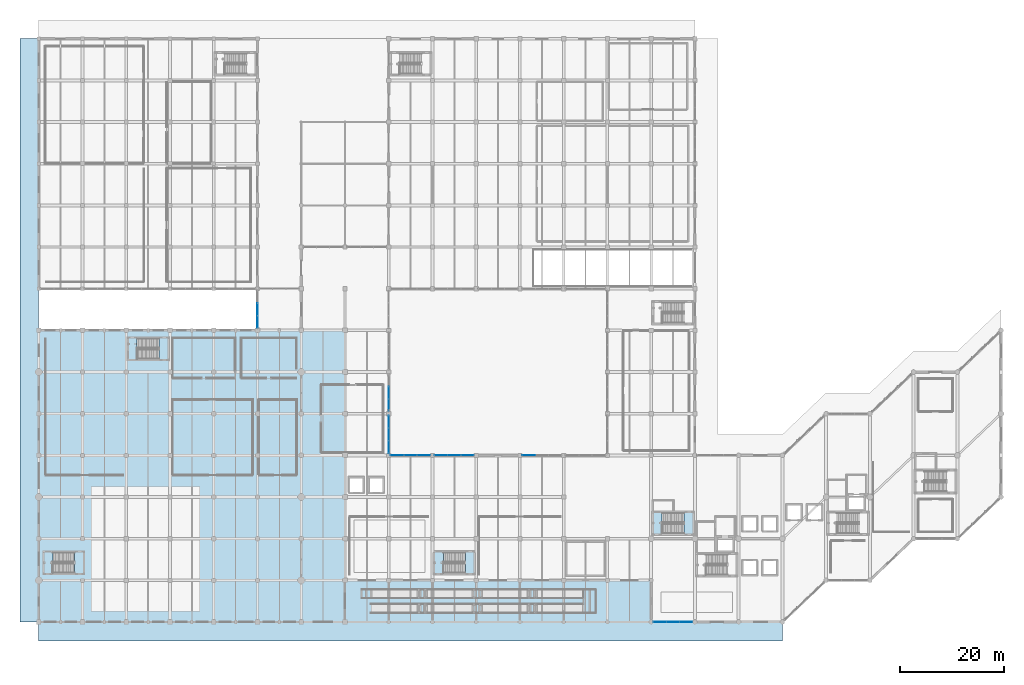
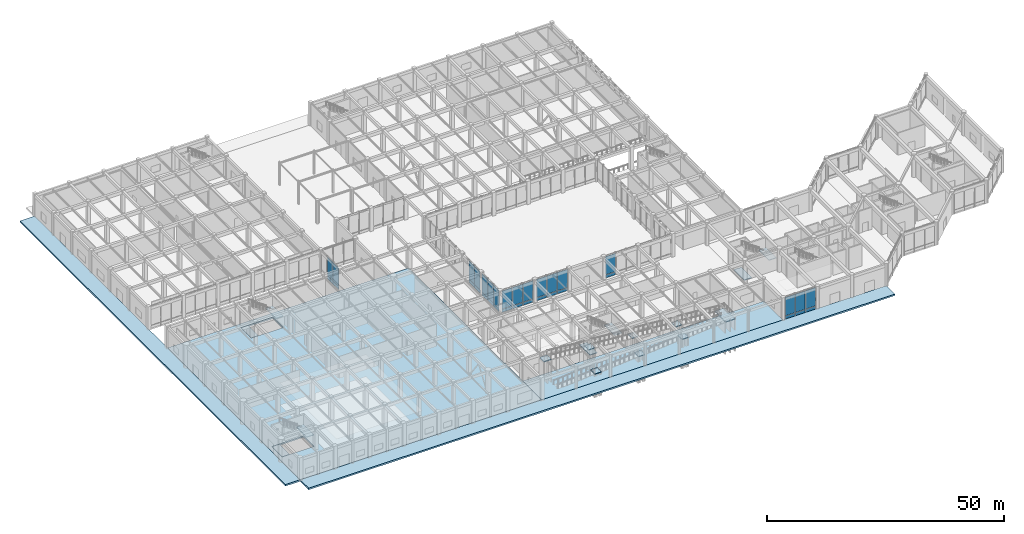
# One storey, part 43 of 76: 34 plates, 20 slabs, 12 elements without a shape of their own.
"""IFC4 building model written with IfcOpenShell, lengths in metres."""

from ifc_helpers import new_model, si_unit, direction, frame, origin, origin_2d, place, context, subcontext, project, spatial, polyline, rectangle, outline, extrude, material, layer, layer_set, type_object, element, aggregate, save


model = new_model("IFC4")

# Units and contexts
model_context = context("Model", 3, precision=1e-05, world=origin(), true_north=direction((0.0, 1.0)))
body_context = subcontext(model_context, "Body", "Model", "MODEL_VIEW")
ifc_project = project(units=[si_unit("LENGTHUNIT", "METRE"), si_unit("AREAUNIT", "SQUARE_METRE"), si_unit("VOLUMEUNIT", "CUBIC_METRE"), si_unit("PLANEANGLEUNIT", "RADIAN"), si_unit("MASSUNIT", "GRAM", prefix="KILO")], contexts=[model_context])

# Site, building, storey
site_placement = place(None, origin())
site = spatial("IfcSite", under=ifc_project, at=site_placement, CompositionType="ELEMENT")
building_placement = place(site_placement, origin())
building = spatial("IfcBuilding", under=site, at=building_placement, Name="Naruveol Harbour Congress Hotel", CompositionType="ELEMENT")
storey_placement = place(building_placement, origin())
storey = spatial("IfcBuildingStorey", under=building, at=storey_placement, Name="L00", CompositionType="ELEMENT", Elevation=0.0)

# Curtain wall, plates
ifc_material_1 = material(Name="Low-E Curtain Wall System", Category="glass")
ifc_layer_1 = layer(ifc_material_1, 0.179931640625)
ifc_layer_set_1 = layer_set([ifc_layer_1], Name="Low-E Curtain Wall System")
curtain_wall_type_1 = type_object("IfcCurtainWallType", Name="UNITISED CURTAIN WALL CW-SPLW-09 7175X5700", PredefinedType="USERDEFINED", material=ifc_layer_set_1)
curtain_wall_1_placement = place(storey_placement, origin())
curtain_wall_1 = element("IfcCurtainWall", 1, at=curtain_wall_1_placement, inside=storey, type_object=curtain_wall_type_1, Name="Unitised curtain wall CW-SPLW-09 L00", ObjectType="UNITISED GLAZING", PredefinedType="USERDEFINED")
ifc_material_2 = material(Name="Anodised Aluminium Spandrel", Category="aluminium")
ifc_layer_2 = layer(ifc_material_2, 0.054931640625)
ifc_layer_set_2 = layer_set([ifc_layer_2], Name="Anodised Aluminium Spandrel")
plate_type_1 = type_object("IfcPlateType", Name="INSULATED CERAMIC SPANDREL PANEL 55", PredefinedType="CURTAIN_PANEL", material=ifc_layer_set_2)
plate_1_placement = place(storey_placement, frame((41.989990234375, 57.645751953125, 0.0400390625), z_axis=(0.0, 0.0, 1.0), x_axis=(0.0, 1.0, 0.0)))
plate_1 = element("IfcPlate", 2, at=plate_1_placement, type_object=plate_type_1, Name="Curtain wall spandrel panel CW-L00-0010-PS0", PredefinedType="CURTAIN_PANEL", context=body_context, shape_type="SweptSolid", body=[
    extrude(rectangle(XDim=2.31201171875, YDim=0.054931640625, at=origin_2d()), origin(), (0.0, 0.0, 1.0), 0.77001953125),
])
plate_2_placement = place(storey_placement, frame((41.989990234375, 60.03759765625, 0.0400390625), z_axis=(0.0, 0.0, 1.0), x_axis=(0.0, 1.0, 0.0)))
plate_2 = element("IfcPlate", 3, at=plate_2_placement, type_object=plate_type_1, Name="Curtain wall spandrel panel CW-L00-0010-PS1", PredefinedType="CURTAIN_PANEL", context=body_context, shape_type="SweptSolid", body=[
    extrude(rectangle(XDim=2.31201171875, YDim=0.054931640625, at=origin_2d()), origin(), (0.0, 0.0, 1.0), 0.77001953125),
])

ifc_material_3 = material(Name="Low-E Curtain Wall System", Category="glass")
ifc_layer_3 = layer(ifc_material_3, 0.179931640625)
ifc_layer_set_3 = layer_set([ifc_layer_3], Name="Low-E Curtain Wall System")
curtain_wall_type_2 = type_object("IfcCurtainWallType", Name="UNITISED CURTAIN WALL CW-CTS-27 7600X5700", PredefinedType="USERDEFINED", material=ifc_layer_set_3)
curtain_wall_2_placement = place(storey_placement, origin())
curtain_wall_2 = element("IfcCurtainWall", 4, at=curtain_wall_2_placement, inside=storey, type_object=curtain_wall_type_2, Name="Unitised curtain wall CW-CTS-27 L00", ObjectType="UNITISED GLAZING", PredefinedType="USERDEFINED")
plate_3_placement = place(storey_placement, frame((68.86669921875, 32.010009765625, 0.0400390625), z_axis=(0.0, 0.0, 1.0), x_axis=(1.0, 0.0, 0.0)))
plate_3 = element("IfcPlate", 5, at=plate_3_placement, type_object=plate_type_1, Name="Curtain wall spandrel panel CW-L00-0055-PS0", PredefinedType="CURTAIN_PANEL", context=body_context, shape_type="SweptSolid", body=[
    extrude(rectangle(XDim=2.452880859375, YDim=0.054931640625, at=origin_2d()), origin(), (0.0, 0.0, 1.0), 0.77001953125),
])
plate_4_placement = place(storey_placement, frame((71.39990234375, 32.010009765625, 0.0400390625), z_axis=(0.0, 0.0, 1.0), x_axis=(1.0, 0.0, 0.0)))
plate_4 = element("IfcPlate", 6, at=plate_4_placement, type_object=plate_type_1, Name="Curtain wall spandrel panel CW-L00-0055-PS1", PredefinedType="CURTAIN_PANEL", context=body_context, shape_type="SweptSolid", body=[
    extrude(rectangle(XDim=2.452880859375, YDim=0.054931640625, at=origin_2d()), origin(), (0.0, 0.0, 1.0), 0.77001953125),
])
plate_5_placement = place(storey_placement, frame((73.933349609375, 32.010009765625, 0.0400390625), z_axis=(0.0, 0.0, 1.0), x_axis=(1.0, 0.0, 0.0)))
plate_5 = element("IfcPlate", 7, at=plate_5_placement, type_object=plate_type_1, Name="Curtain wall spandrel panel CW-L00-0055-PS2", PredefinedType="CURTAIN_PANEL", context=body_context, shape_type="SweptSolid", body=[
    extrude(rectangle(XDim=2.452880859375, YDim=0.054931640625, at=origin_2d()), origin(), (0.0, 0.0, 1.0), 0.77001953125),
])

curtain_wall_3_placement = place(storey_placement, origin())
curtain_wall_3 = element("IfcCurtainWall", 8, at=curtain_wall_3_placement, inside=storey, type_object=curtain_wall_type_2, Name="Unitised curtain wall CW-CTS-27 L00", ObjectType="UNITISED GLAZING", PredefinedType="USERDEFINED")
plate_6_placement = place(storey_placement, frame((77.2666015625, 32.010009765625, 0.0400390625), z_axis=(0.0, 0.0, 1.0), x_axis=(1.0, 0.0, 0.0)))
plate_6 = element("IfcPlate", 9, at=plate_6_placement, type_object=plate_type_1, Name="Curtain wall spandrel panel CW-L00-0057-PS0", PredefinedType="CURTAIN_PANEL", context=body_context, shape_type="SweptSolid", body=[
    extrude(rectangle(XDim=2.452880859375, YDim=0.054931640625, at=origin_2d()), origin(), (0.0, 0.0, 1.0), 0.77001953125),
])
plate_7_placement = place(storey_placement, frame((79.800048828125, 32.010009765625, 0.0400390625), z_axis=(0.0, 0.0, 1.0), x_axis=(1.0, 0.0, 0.0)))
plate_7 = element("IfcPlate", 10, at=plate_7_placement, type_object=plate_type_1, Name="Curtain wall spandrel panel CW-L00-0057-PS1", PredefinedType="CURTAIN_PANEL", context=body_context, shape_type="SweptSolid", body=[
    extrude(rectangle(XDim=2.452880859375, YDim=0.054931640625, at=origin_2d()), origin(), (0.0, 0.0, 1.0), 0.77001953125),
])
plate_8_placement = place(storey_placement, frame((82.333251953125, 32.010009765625, 0.0400390625), z_axis=(0.0, 0.0, 1.0), x_axis=(1.0, 0.0, 0.0)))
plate_8 = element("IfcPlate", 11, at=plate_8_placement, type_object=plate_type_1, Name="Curtain wall spandrel panel CW-L00-0057-PS2", PredefinedType="CURTAIN_PANEL", context=body_context, shape_type="SweptSolid", body=[
    extrude(rectangle(XDim=2.452880859375, YDim=0.054931640625, at=origin_2d()), origin(), (0.0, 0.0, 1.0), 0.77001953125),
])

# Curtain wall, plate
curtain_wall_4_placement = place(storey_placement, origin())
curtain_wall_4 = element("IfcCurtainWall", 12, at=curtain_wall_4_placement, inside=storey, type_object=curtain_wall_type_2, Name="Unitised curtain wall CW-CTS-27 L00", ObjectType="UNITISED GLAZING", PredefinedType="USERDEFINED")
plate_9_placement = place(storey_placement, frame((94.066650390625, 32.010009765625, 0.0400390625), z_axis=(0.0, 0.0, 1.0), x_axis=(1.0, 0.0, 0.0)))
plate_9 = element("IfcPlate", 13, at=plate_9_placement, type_object=plate_type_1, Name="Curtain wall spandrel panel CW-L00-0060-PS0", PredefinedType="CURTAIN_PANEL", context=body_context, shape_type="SweptSolid", body=[
    extrude(rectangle(XDim=2.452880859375, YDim=0.054931640625, at=origin_2d()), origin(), (0.0, 0.0, 1.0), 0.77001953125),
])

# Curtain wall, plates
ifc_material_4 = material(Name="Low-E Curtain Wall System", Category="glass")
ifc_layer_4 = layer(ifc_material_4, 0.179931640625)
ifc_layer_set_4 = layer_set([ifc_layer_4], Name="Low-E Curtain Wall System")
curtain_wall_type_3 = type_object("IfcCurtainWallType", Name="UNITISED CURTAIN WALL CW-CTW-28 7200X5700", PredefinedType="USERDEFINED", material=ifc_layer_set_4)
curtain_wall_5_placement = place(storey_placement, origin())
curtain_wall_5 = element("IfcCurtainWall", 14, at=curtain_wall_5_placement, inside=storey, type_object=curtain_wall_type_3, Name="Unitised curtain wall CW-CTW-28 L00", ObjectType="UNITISED GLAZING", PredefinedType="USERDEFINED")
plate_10_placement = place(storey_placement, frame((67.18994140625, 33.60009765625, 0.0400390625), z_axis=(0.0, 0.0, 1.0), x_axis=(0.0, 1.0, 0.0)))
plate_10 = element("IfcPlate", 15, at=plate_10_placement, type_object=plate_type_1, Name="Curtain wall spandrel panel CW-L00-0063-PS0", PredefinedType="CURTAIN_PANEL", context=body_context, shape_type="SweptSolid", body=[
    extrude(rectangle(XDim=2.320068359375, YDim=0.054931640625, at=origin_2d()), origin(), (0.0, 0.0, 1.0), 0.77001953125),
])
plate_11_placement = place(storey_placement, frame((67.18994140625, 36.0, 0.0400390625), z_axis=(0.0, 0.0, 1.0), x_axis=(0.0, 1.0, 0.0)))
plate_11 = element("IfcPlate", 16, at=plate_11_placement, type_object=plate_type_1, Name="Curtain wall spandrel panel CW-L00-0063-PS1", PredefinedType="CURTAIN_PANEL", context=body_context, shape_type="SweptSolid", body=[
    extrude(rectangle(XDim=2.320068359375, YDim=0.054931640625, at=origin_2d()), origin(), (0.0, 0.0, 1.0), 0.77001953125),
])
plate_12_placement = place(storey_placement, frame((67.18994140625, 38.39990234375, 0.0400390625), z_axis=(0.0, 0.0, 1.0), x_axis=(0.0, 1.0, 0.0)))
plate_12 = element("IfcPlate", 17, at=plate_12_placement, type_object=plate_type_1, Name="Curtain wall spandrel panel CW-L00-0063-PS2", PredefinedType="CURTAIN_PANEL", context=body_context, shape_type="SweptSolid", body=[
    extrude(rectangle(XDim=2.320068359375, YDim=0.054931640625, at=origin_2d()), origin(), (0.0, 0.0, 1.0), 0.77001953125),
])

curtain_wall_6_placement = place(storey_placement, origin())
curtain_wall_6 = element("IfcCurtainWall", 18, at=curtain_wall_6_placement, inside=storey, type_object=curtain_wall_type_3, Name="Unitised curtain wall CW-CTW-28 L00", ObjectType="UNITISED GLAZING", PredefinedType="USERDEFINED")
plate_13_placement = place(storey_placement, frame((67.18994140625, 41.60009765625, 0.0400390625), z_axis=(0.0, 0.0, 1.0), x_axis=(0.0, 1.0, 0.0)))
plate_13 = element("IfcPlate", 19, at=plate_13_placement, type_object=plate_type_1, Name="Curtain wall spandrel panel CW-L00-0065-PS0", PredefinedType="CURTAIN_PANEL", context=body_context, shape_type="SweptSolid", body=[
    extrude(rectangle(XDim=2.320068359375, YDim=0.054931640625, at=origin_2d()), origin(), (0.0, 0.0, 1.0), 0.77001953125),
])
plate_14_placement = place(storey_placement, frame((67.18994140625, 44.0, 0.0400390625), z_axis=(0.0, 0.0, 1.0), x_axis=(0.0, 1.0, 0.0)))
plate_14 = element("IfcPlate", 20, at=plate_14_placement, type_object=plate_type_1, Name="Curtain wall spandrel panel CW-L00-0065-PS1", PredefinedType="CURTAIN_PANEL", context=body_context, shape_type="SweptSolid", body=[
    extrude(rectangle(XDim=2.320068359375, YDim=0.054931640625, at=origin_2d()), origin(), (0.0, 0.0, 1.0), 0.77001953125),
])

ifc_material_5 = material(Name="Low-E Curtain Wall System", Category="glass")
ifc_layer_5 = layer(ifc_material_5, 0.179931640625)
ifc_layer_set_5 = layer_set([ifc_layer_5], Name="Low-E Curtain Wall System")
curtain_wall_type_4 = type_object("IfcCurtainWallType", Name="UNITISED CURTAIN WALL CW-V5S-46 7500X5720", PredefinedType="USERDEFINED", material=ifc_layer_set_5)
curtain_wall_7_placement = place(storey_placement, origin())
curtain_wall_7 = element("IfcCurtainWall", 21, at=curtain_wall_7_placement, inside=storey, type_object=curtain_wall_type_4, Name="Unitised curtain wall CW-V5S-46 L00", ObjectType="UNITISED GLAZING", PredefinedType="USERDEFINED")
plate_15_placement = place(storey_placement, frame((124.300048828125, -0.010009765625, 0.0400390625), z_axis=(0.0, 0.0, 1.0), x_axis=(-1.0, 0.0, 0.0)))
plate_15 = element("IfcPlate", 22, at=plate_15_placement, type_object=plate_type_1, Name="Curtain wall spandrel panel CW-L00-0126-PS0", PredefinedType="CURTAIN_PANEL", context=body_context, shape_type="SweptSolid", body=[
    extrude(rectangle(XDim=2.419921875, YDim=0.054931640625, at=origin_2d()), origin(), (0.0, 0.0, 1.0), 0.77001953125),
])
plate_16_placement = place(storey_placement, frame((121.800048828125, -0.010009765625, 0.0400390625), z_axis=(0.0, 0.0, 1.0), x_axis=(-1.0, 0.0, 0.0)))
plate_16 = element("IfcPlate", 23, at=plate_16_placement, type_object=plate_type_1, Name="Curtain wall spandrel panel CW-L00-0126-PS1", PredefinedType="CURTAIN_PANEL", context=body_context, shape_type="SweptSolid", body=[
    extrude(rectangle(XDim=2.419921875, YDim=0.054931640625, at=origin_2d()), origin(), (0.0, 0.0, 1.0), 0.77001953125),
])
plate_17_placement = place(storey_placement, frame((119.300048828125, -0.010009765625, 0.0400390625), z_axis=(0.0, 0.0, 1.0), x_axis=(-1.0, 0.0, 0.0)))
plate_17 = element("IfcPlate", 24, at=plate_17_placement, type_object=plate_type_1, Name="Curtain wall spandrel panel CW-L00-0126-PS2", PredefinedType="CURTAIN_PANEL", context=body_context, shape_type="SweptSolid", body=[
    extrude(rectangle(XDim=2.419921875, YDim=0.054931640625, at=origin_2d()), origin(), (0.0, 0.0, 1.0), 0.77001953125),
])

# Plate
ifc_material_6 = material(Name="Low-E Insulated Glass", Category="glass")
ifc_layer_6 = layer(ifc_material_6, 0.0419921875)
ifc_layer_set_6 = layer_set([ifc_layer_6], Name="Low-E Insulated Glass")
plate_type_2 = type_object("IfcPlateType", Name="LOW-E TRIPLE GLAZED CURTAIN PANEL 42", PredefinedType="CURTAIN_PANEL", material=ifc_layer_set_6)
plate_18_placement = place(storey_placement, frame((41.989990234375, 57.645751953125, 0.89013671875), z_axis=(0.0, 0.0, 1.0), x_axis=(0.0, 1.0, 0.0)))
plate_18 = element("IfcPlate", 25, at=plate_18_placement, type_object=plate_type_2, Name="Curtain wall vision panel CW-L00-0010-PG0", PredefinedType="CURTAIN_PANEL", context=body_context, shape_type="SweptSolid", body=[
    extrude(rectangle(XDim=2.31201171875, YDim=0.0419921875, at=origin_2d()), origin(), (0.0, 0.0, 1.0), 4.68994140625),
])

plate_19_placement = place(storey_placement, frame((41.989990234375, 60.03759765625, 0.89013671875), z_axis=(0.0, 0.0, 1.0), x_axis=(0.0, 1.0, 0.0)))
plate_19 = element("IfcPlate", 26, at=plate_19_placement, type_object=plate_type_2, Name="Curtain wall vision panel CW-L00-0010-PG1", PredefinedType="CURTAIN_PANEL", context=body_context, shape_type="SweptSolid", body=[
    extrude(rectangle(XDim=2.31201171875, YDim=0.0419921875, at=origin_2d()), origin(), (0.0, 0.0, 1.0), 4.68994140625),
])

aggregate(curtain_wall_1, [plate_1, plate_18, plate_2, plate_19])

plate_20_placement = place(storey_placement, frame((68.86669921875, 32.010009765625, 0.89013671875), z_axis=(0.0, 0.0, 1.0), x_axis=(1.0, 0.0, 0.0)))
plate_20 = element("IfcPlate", 27, at=plate_20_placement, type_object=plate_type_2, Name="Curtain wall vision panel CW-L00-0055-PG0", PredefinedType="CURTAIN_PANEL", context=body_context, shape_type="SweptSolid", body=[
    extrude(rectangle(XDim=2.452880859375, YDim=0.0419921875, at=origin_2d()), origin(), (0.0, 0.0, 1.0), 4.68994140625),
])

plate_21_placement = place(storey_placement, frame((71.39990234375, 32.010009765625, 0.89013671875), z_axis=(0.0, 0.0, 1.0), x_axis=(1.0, 0.0, 0.0)))
plate_21 = element("IfcPlate", 28, at=plate_21_placement, type_object=plate_type_2, Name="Curtain wall vision panel CW-L00-0055-PG1", PredefinedType="CURTAIN_PANEL", context=body_context, shape_type="SweptSolid", body=[
    extrude(rectangle(XDim=2.452880859375, YDim=0.0419921875, at=origin_2d()), origin(), (0.0, 0.0, 1.0), 4.68994140625),
])

plate_22_placement = place(storey_placement, frame((73.933349609375, 32.010009765625, 0.89013671875), z_axis=(0.0, 0.0, 1.0), x_axis=(1.0, 0.0, 0.0)))
plate_22 = element("IfcPlate", 29, at=plate_22_placement, type_object=plate_type_2, Name="Curtain wall vision panel CW-L00-0055-PG2", PredefinedType="CURTAIN_PANEL", context=body_context, shape_type="SweptSolid", body=[
    extrude(rectangle(XDim=2.452880859375, YDim=0.0419921875, at=origin_2d()), origin(), (0.0, 0.0, 1.0), 4.68994140625),
])

aggregate(curtain_wall_2, [plate_3, plate_20, plate_4, plate_21, plate_5, plate_22])

plate_23_placement = place(storey_placement, frame((77.2666015625, 32.010009765625, 0.89013671875), z_axis=(0.0, 0.0, 1.0), x_axis=(1.0, 0.0, 0.0)))
plate_23 = element("IfcPlate", 30, at=plate_23_placement, type_object=plate_type_2, Name="Curtain wall vision panel CW-L00-0057-PG0", PredefinedType="CURTAIN_PANEL", context=body_context, shape_type="SweptSolid", body=[
    extrude(rectangle(XDim=2.452880859375, YDim=0.0419921875, at=origin_2d()), origin(), (0.0, 0.0, 1.0), 4.68994140625),
])

plate_24_placement = place(storey_placement, frame((79.800048828125, 32.010009765625, 0.89013671875), z_axis=(0.0, 0.0, 1.0), x_axis=(1.0, 0.0, 0.0)))
plate_24 = element("IfcPlate", 31, at=plate_24_placement, type_object=plate_type_2, Name="Curtain wall vision panel CW-L00-0057-PG1", PredefinedType="CURTAIN_PANEL", context=body_context, shape_type="SweptSolid", body=[
    extrude(rectangle(XDim=2.452880859375, YDim=0.0419921875, at=origin_2d()), origin(), (0.0, 0.0, 1.0), 4.68994140625),
])

plate_25_placement = place(storey_placement, frame((82.333251953125, 32.010009765625, 0.89013671875), z_axis=(0.0, 0.0, 1.0), x_axis=(1.0, 0.0, 0.0)))
plate_25 = element("IfcPlate", 32, at=plate_25_placement, type_object=plate_type_2, Name="Curtain wall vision panel CW-L00-0057-PG2", PredefinedType="CURTAIN_PANEL", context=body_context, shape_type="SweptSolid", body=[
    extrude(rectangle(XDim=2.452880859375, YDim=0.0419921875, at=origin_2d()), origin(), (0.0, 0.0, 1.0), 4.68994140625),
])

aggregate(curtain_wall_3, [plate_6, plate_23, plate_7, plate_24, plate_8, plate_25])

plate_26_placement = place(storey_placement, frame((94.066650390625, 32.010009765625, 0.89013671875), z_axis=(0.0, 0.0, 1.0), x_axis=(1.0, 0.0, 0.0)))
plate_26 = element("IfcPlate", 33, at=plate_26_placement, type_object=plate_type_2, Name="Curtain wall vision panel CW-L00-0060-PG0", PredefinedType="CURTAIN_PANEL", context=body_context, shape_type="SweptSolid", body=[
    extrude(rectangle(XDim=2.452880859375, YDim=0.0419921875, at=origin_2d()), origin(), (0.0, 0.0, 1.0), 4.68994140625),
])

aggregate(curtain_wall_4, [plate_9, plate_26])

plate_27_placement = place(storey_placement, frame((67.18994140625, 33.60009765625, 0.89013671875), z_axis=(0.0, 0.0, 1.0), x_axis=(0.0, 1.0, 0.0)))
plate_27 = element("IfcPlate", 34, at=plate_27_placement, type_object=plate_type_2, Name="Curtain wall vision panel CW-L00-0063-PG0", PredefinedType="CURTAIN_PANEL", context=body_context, shape_type="SweptSolid", body=[
    extrude(rectangle(XDim=2.320068359375, YDim=0.0419921875, at=origin_2d()), origin(), (0.0, 0.0, 1.0), 4.68994140625),
])

plate_28_placement = place(storey_placement, frame((67.18994140625, 36.0, 0.89013671875), z_axis=(0.0, 0.0, 1.0), x_axis=(0.0, 1.0, 0.0)))
plate_28 = element("IfcPlate", 35, at=plate_28_placement, type_object=plate_type_2, Name="Curtain wall vision panel CW-L00-0063-PG1", PredefinedType="CURTAIN_PANEL", context=body_context, shape_type="SweptSolid", body=[
    extrude(rectangle(XDim=2.320068359375, YDim=0.0419921875, at=origin_2d()), origin(), (0.0, 0.0, 1.0), 4.68994140625),
])

plate_29_placement = place(storey_placement, frame((67.18994140625, 38.39990234375, 0.89013671875), z_axis=(0.0, 0.0, 1.0), x_axis=(0.0, 1.0, 0.0)))
plate_29 = element("IfcPlate", 36, at=plate_29_placement, type_object=plate_type_2, Name="Curtain wall vision panel CW-L00-0063-PG2", PredefinedType="CURTAIN_PANEL", context=body_context, shape_type="SweptSolid", body=[
    extrude(rectangle(XDim=2.320068359375, YDim=0.0419921875, at=origin_2d()), origin(), (0.0, 0.0, 1.0), 4.68994140625),
])

aggregate(curtain_wall_5, [plate_10, plate_27, plate_11, plate_28, plate_12, plate_29])

plate_30_placement = place(storey_placement, frame((67.18994140625, 41.60009765625, 0.89013671875), z_axis=(0.0, 0.0, 1.0), x_axis=(0.0, 1.0, 0.0)))
plate_30 = element("IfcPlate", 37, at=plate_30_placement, type_object=plate_type_2, Name="Curtain wall vision panel CW-L00-0065-PG0", PredefinedType="CURTAIN_PANEL", context=body_context, shape_type="SweptSolid", body=[
    extrude(rectangle(XDim=2.320068359375, YDim=0.0419921875, at=origin_2d()), origin(), (0.0, 0.0, 1.0), 4.68994140625),
])

plate_31_placement = place(storey_placement, frame((67.18994140625, 44.0, 0.89013671875), z_axis=(0.0, 0.0, 1.0), x_axis=(0.0, 1.0, 0.0)))
plate_31 = element("IfcPlate", 38, at=plate_31_placement, type_object=plate_type_2, Name="Curtain wall vision panel CW-L00-0065-PG1", PredefinedType="CURTAIN_PANEL", context=body_context, shape_type="SweptSolid", body=[
    extrude(rectangle(XDim=2.320068359375, YDim=0.0419921875, at=origin_2d()), origin(), (0.0, 0.0, 1.0), 4.68994140625),
])

aggregate(curtain_wall_6, [plate_13, plate_30, plate_14, plate_31])

plate_32_placement = place(storey_placement, frame((124.300048828125, -0.010009765625, 0.89013671875), z_axis=(0.0, 0.0, 1.0), x_axis=(-1.0, 0.0, 0.0)))
plate_32 = element("IfcPlate", 39, at=plate_32_placement, type_object=plate_type_2, Name="Curtain wall vision panel CW-L00-0126-PG0", PredefinedType="CURTAIN_PANEL", context=body_context, shape_type="SweptSolid", body=[
    extrude(rectangle(XDim=2.419921875, YDim=0.0419921875, at=origin_2d()), origin(), (0.0, 0.0, 1.0), 4.7099609375),
])

plate_33_placement = place(storey_placement, frame((121.800048828125, -0.010009765625, 0.89013671875), z_axis=(0.0, 0.0, 1.0), x_axis=(-1.0, 0.0, 0.0)))
plate_33 = element("IfcPlate", 40, at=plate_33_placement, type_object=plate_type_2, Name="Curtain wall vision panel CW-L00-0126-PG1", PredefinedType="CURTAIN_PANEL", context=body_context, shape_type="SweptSolid", body=[
    extrude(rectangle(XDim=2.419921875, YDim=0.0419921875, at=origin_2d()), origin(), (0.0, 0.0, 1.0), 4.7099609375),
])

plate_34_placement = place(storey_placement, frame((119.300048828125, -0.010009765625, 0.89013671875), z_axis=(0.0, 0.0, 1.0), x_axis=(-1.0, 0.0, 0.0)))
plate_34 = element("IfcPlate", 41, at=plate_34_placement, type_object=plate_type_2, Name="Curtain wall vision panel CW-L00-0126-PG2", PredefinedType="CURTAIN_PANEL", context=body_context, shape_type="SweptSolid", body=[
    extrude(rectangle(XDim=2.419921875, YDim=0.0419921875, at=origin_2d()), origin(), (0.0, 0.0, 1.0), 4.7099609375),
])

aggregate(curtain_wall_7, [plate_15, plate_32, plate_16, plate_33, plate_17, plate_34])

# Slabs
ifc_material_7 = material(Name="Concrete C40/50", Category="concrete")
ifc_layer_7 = layer(ifc_material_7, 0.35009765625)
ifc_layer_set_7 = layer_set([ifc_layer_7], Name="Concrete C40/50")
slab_type_1 = type_object("IfcSlabType", Name="RC GROUND CONCOURSE SLAB 350", PredefinedType="FLOOR", material=ifc_layer_set_7)
slab_1_placement = place(storey_placement, frame((0.0, 0.0, -0.35009765625)))
element("IfcSlab", 42, at=slab_1_placement, inside=storey, type_object=slab_type_1, Name="Level L00 Congress concourse slab", PredefinedType="FLOOR", context=body_context, shape_type="SweptSolid", body=[
    extrude(outline(polyline([(0.0, 0.0), (58.800048828125, 0.0), (58.800048828125, 56.0), (0.0, 56.0), (0.0, 0.0)]), holes=[polyline([(0.89990234375, 9.199951171875), (8.699951171875, 9.199951171875), (8.699951171875, 13.56005859375), (0.89990234375, 13.56005859375), (0.89990234375, 9.199951171875)]), polyline([(17.10009765625, 50.300048828125), (24.89990234375, 50.300048828125), (24.89990234375, 54.659912109375), (17.10009765625, 54.659912109375), (17.10009765625, 50.300048828125)])]), origin(), (0.0, 0.0, 1.0), 0.35009765625),
])
ifc_material_8 = material(Name="Concrete C40/50", Category="concrete")
ifc_layer_8 = layer(ifc_material_8, 0.39990234375)
ifc_layer_set_8 = layer_set([ifc_layer_8], Name="Concrete C40/50")
slab_type_2 = type_object("IfcSlabType", Name="RC PROMENADE PLINTH SLAB 400", PredefinedType="BASESLAB", material=ifc_layer_set_8)
slab_2_placement = place(storey_placement, frame((0.0, 0.0, -0.39990234375)))
element("IfcSlab", 43, at=slab_2_placement, inside=storey, type_object=slab_type_2, Name="Exterior South Harbour Promenade Paving", PredefinedType="BASESLAB", context=body_context, shape_type="SweptSolid", body=[
    extrude(outline(polyline([(0.0, -3.60009765625), (142.800048828125, -3.60009765625), (142.800048828125, 0.0), (0.0, 0.0), (0.0, -3.60009765625)])), origin(), (0.0, 0.0, 1.0), 0.39990234375),
])
slab_3_placement = place(storey_placement, frame((0.0, 0.0, -0.39990234375)))
element("IfcSlab", 44, at=slab_3_placement, inside=storey, type_object=slab_type_2, Name="Exterior Harbour Colonnade Ground Paving", PredefinedType="BASESLAB", context=body_context, shape_type="SweptSolid", body=[
    extrude(outline(polyline([(58.800048828125, 0.0), (117.60009765625, 0.0), (117.60009765625, 8.0), (58.800048828125, 8.0), (58.800048828125, 0.0)])), origin(), (0.0, 0.0, 1.0), 0.39990234375),
])
slab_4_placement = place(storey_placement, frame((0.0, 0.0, -0.39990234375)))
element("IfcSlab", 45, at=slab_4_placement, inside=storey, type_object=slab_type_2, Name="Exterior West Quay Promenade Paving", PredefinedType="BASESLAB", context=body_context, shape_type="SweptSolid", body=[
    extrude(outline(polyline([(-3.60009765625, 0.0), (0.0, 0.0), (0.0, 112.0), (-3.60009765625, 112.0), (-3.60009765625, 0.0)])), origin(), (0.0, 0.0, 1.0), 0.39990234375),
])

# Ramp, slabs
ifc_material_9 = material(Name="Concrete C40/50", Category="concrete")
ramp_type = type_object("IfcRampType", Name="RC ACCESSIBLE PROMENADE PEDESTRIAN RAMP", PredefinedType="TWO_STRAIGHT_RUN_RAMP", material=ifc_material_9)
ramp_placement = place(storey_placement, origin())
ramp = element("IfcRamp", 46, at=ramp_placement, inside=storey, type_object=ramp_type, Name="Accessible Harbour Promenade Pedestrian Ramp PR-1", PredefinedType="TWO_STRAIGHT_RUN_RAMP")
ifc_material_10 = material(Name="Concrete C40/50", Category="concrete")
ifc_layer_9 = layer(ifc_material_10, 0.199951171875)
ifc_layer_set_9 = layer_set([ifc_layer_9], Name="Concrete C40/50")
slab_type_3 = type_object("IfcSlabType", Name="RC RAMP LANDING SLAB 200", PredefinedType="LANDING", material=ifc_layer_set_9)
slab_5_placement = place(storey_placement, frame((0.0, 0.0, 0.550048828125)))
slab_5 = element("IfcSlab", 47, at=slab_5_placement, type_object=slab_type_3, Name="Accessible promenade ramp landing E1", PredefinedType="LANDING", context=body_context, shape_type="SweptSolid", body=[
    extrude(outline(polyline([(72.800048828125, 1.699951171875), (74.39990234375, 1.699951171875), (74.39990234375, 3.5), (72.800048828125, 3.5), (72.800048828125, 1.699951171875)])), origin(), (0.0, 0.0, 1.0), 0.199951171875),
])
slab_6_placement = place(storey_placement, frame((0.0, 0.0, 1.300048828125)))
slab_6 = element("IfcSlab", 48, at=slab_6_placement, type_object=slab_type_3, Name="Accessible promenade ramp landing E2", PredefinedType="LANDING", context=body_context, shape_type="SweptSolid", body=[
    extrude(outline(polyline([(83.39990234375, 1.699951171875), (85.0, 1.699951171875), (85.0, 3.5), (83.39990234375, 3.5), (83.39990234375, 1.699951171875)])), origin(), (0.0, 0.0, 1.0), 0.199951171875),
])
slab_7_placement = place(storey_placement, frame((0.0, 0.0, 2.050048828125)))
slab_7 = element("IfcSlab", 49, at=slab_7_placement, type_object=slab_type_3, Name="Accessible promenade ramp landing E3", PredefinedType="LANDING", context=body_context, shape_type="SweptSolid", body=[
    extrude(outline(polyline([(94.0, 1.699951171875), (95.60009765625, 1.699951171875), (95.60009765625, 3.5), (94.0, 3.5), (94.0, 1.699951171875)])), origin(), (0.0, 0.0, 1.0), 0.199951171875),
])
slab_8_placement = place(storey_placement, frame((0.0, 0.0, 2.800048828125)))
slab_8 = element("IfcSlab", 50, at=slab_8_placement, type_object=slab_type_3, Name="Accessible promenade ramp mid turn landing", PredefinedType="LANDING", context=body_context, shape_type="SweptSolid", body=[
    extrude(outline(polyline([(104.60009765625, 1.699951171875), (107.0, 1.699951171875), (107.0, 6.300048828125), (104.60009765625, 6.300048828125), (104.60009765625, 1.699951171875)])), origin(), (0.0, 0.0, 1.0), 0.199951171875),
])
slab_9_placement = place(storey_placement, frame((0.0, 0.0, 3.550048828125)))
slab_9 = element("IfcSlab", 51, at=slab_9_placement, type_object=slab_type_3, Name="Accessible promenade ramp landing W1", PredefinedType="LANDING", context=body_context, shape_type="SweptSolid", body=[
    extrude(outline(polyline([(94.0, 4.5), (95.60009765625, 4.5), (95.60009765625, 6.300048828125), (94.0, 6.300048828125), (94.0, 4.5)])), origin(), (0.0, 0.0, 1.0), 0.199951171875),
])
slab_10_placement = place(storey_placement, frame((0.0, 0.0, 4.300048828125)))
slab_10 = element("IfcSlab", 52, at=slab_10_placement, type_object=slab_type_3, Name="Accessible promenade ramp landing W2", PredefinedType="LANDING", context=body_context, shape_type="SweptSolid", body=[
    extrude(outline(polyline([(83.39990234375, 4.5), (85.0, 4.5), (85.0, 6.300048828125), (83.39990234375, 6.300048828125), (83.39990234375, 4.5)])), origin(), (0.0, 0.0, 1.0), 0.199951171875),
])
slab_11_placement = place(storey_placement, frame((0.0, 0.0, 5.050048828125)))
slab_11 = element("IfcSlab", 53, at=slab_11_placement, type_object=slab_type_3, Name="Accessible promenade ramp landing W3", PredefinedType="LANDING", context=body_context, shape_type="SweptSolid", body=[
    extrude(outline(polyline([(72.800048828125, 4.5), (74.39990234375, 4.5), (74.39990234375, 6.300048828125), (72.800048828125, 6.300048828125), (72.800048828125, 4.5)])), origin(), (0.0, 0.0, 1.0), 0.199951171875),
])
slab_12_placement = place(storey_placement, frame((0.0, 0.0, 5.800048828125)))
slab_12 = element("IfcSlab", 54, at=slab_12_placement, type_object=slab_type_3, Name="Accessible promenade ramp L01 arrival landing", PredefinedType="LANDING", context=body_context, shape_type="SweptSolid", body=[
    extrude(outline(polyline([(62.0, 4.5), (63.800048828125, 4.5), (63.800048828125, 6.300048828125), (62.0, 6.300048828125), (62.0, 4.5)])), origin(), (0.0, 0.0, 1.0), 0.199951171875),
])
aggregate(ramp, [slab_5, slab_6, slab_7, slab_8, slab_9, slab_10, slab_11, slab_12])

# Slab
ifc_material_11 = material(Name="Concrete C40/50", Category="concrete")
ifc_layer_10 = layer(ifc_material_11, 0.179931640625)
ifc_layer_set_10 = layer_set([ifc_layer_10], Name="Concrete C40/50")
slab_type_4 = type_object("IfcSlabType", Name="RC STAIR HALF LANDING SLAB 180", PredefinedType="LANDING", material=ifc_layer_set_10)
slab_13_placement = place(storey_placement, frame((0.0, 0.0, -0.179931640625)))
element("IfcSlab", 55, at=slab_13_placement, inside=storey, type_object=slab_type_4, Name="Stair ST3 L00 floor landing", PredefinedType="LANDING", context=body_context, shape_type="SweptSolid", body=[
    extrude(outline(polyline([(117.89990234375, 16.800048828125), (119.699951171875, 16.800048828125), (119.699951171875, 21.159912109375), (117.89990234375, 21.159912109375), (117.89990234375, 16.800048828125)])), origin(), (0.0, 0.0, 1.0), 0.179931640625),
])

# Stair, slab
ifc_material_12 = material(Name="Concrete C40/50", Category="concrete")
stair_type = type_object("IfcStairType", Name="RC DOG LEG ESCAPE STAIR 1800W H6000", PredefinedType="HALF_TURN_STAIR", material=ifc_material_12)
stair_1_placement = place(storey_placement, origin())
stair_1 = element("IfcStair", 56, at=stair_1_placement, inside=storey, type_object=stair_type, Name="Special Escape Stair ST3 L00 to L01", PredefinedType="HALF_TURN_STAIR")
slab_14_placement = place(storey_placement, frame((0.0, 0.0, 2.820068359375)))
slab_14 = element("IfcSlab", 57, at=slab_14_placement, type_object=slab_type_4, Name="ST3 L00 half landing", PredefinedType="LANDING", context=body_context, shape_type="SweptSolid", body=[
    extrude(outline(polyline([(123.89990234375, 16.800048828125), (125.699951171875, 16.800048828125), (125.699951171875, 21.159912109375), (123.89990234375, 21.159912109375), (123.89990234375, 16.800048828125)])), origin(), (0.0, 0.0, 1.0), 0.179931640625),
])
aggregate(stair_1, [slab_14])

# Slab
slab_15_placement = place(storey_placement, frame((0.0, 0.0, -0.179931640625)))
element("IfcSlab", 58, at=slab_15_placement, inside=storey, type_object=slab_type_4, Name="Stair ST5 L00 floor landing", PredefinedType="LANDING", context=body_context, shape_type="SweptSolid", body=[
    extrude(outline(polyline([(0.89990234375, 9.199951171875), (2.699951171875, 9.199951171875), (2.699951171875, 13.56005859375), (0.89990234375, 13.56005859375), (0.89990234375, 9.199951171875)])), origin(), (0.0, 0.0, 1.0), 0.179931640625),
])

# Stair, slab
stair_2_placement = place(storey_placement, origin())
stair_2 = element("IfcStair", 59, at=stair_2_placement, inside=storey, type_object=stair_type, Name="Congress West Exit Stair ST5 L00 to L01", PredefinedType="HALF_TURN_STAIR")
slab_16_placement = place(storey_placement, frame((0.0, 0.0, 2.820068359375)))
slab_16 = element("IfcSlab", 60, at=slab_16_placement, type_object=slab_type_4, Name="ST5 L00 half landing", PredefinedType="LANDING", context=body_context, shape_type="SweptSolid", body=[
    extrude(outline(polyline([(6.89990234375, 9.199951171875), (8.699951171875, 9.199951171875), (8.699951171875, 13.56005859375), (6.89990234375, 13.56005859375), (6.89990234375, 9.199951171875)])), origin(), (0.0, 0.0, 1.0), 0.179931640625),
])
aggregate(stair_2, [slab_16])

# Slab
slab_17_placement = place(storey_placement, frame((0.0, 0.0, -0.179931640625)))
element("IfcSlab", 61, at=slab_17_placement, inside=storey, type_object=slab_type_4, Name="Stair ST6 L00 floor landing", PredefinedType="LANDING", context=body_context, shape_type="SweptSolid", body=[
    extrude(outline(polyline([(17.10009765625, 50.300048828125), (18.89990234375, 50.300048828125), (18.89990234375, 54.659912109375), (17.10009765625, 54.659912109375), (17.10009765625, 50.300048828125)])), origin(), (0.0, 0.0, 1.0), 0.179931640625),
])

# Stair, slab
stair_3_placement = place(storey_placement, origin())
stair_3 = element("IfcStair", 62, at=stair_3_placement, inside=storey, type_object=stair_type, Name="Congress North Exit Stair ST6 L00 to L01", PredefinedType="HALF_TURN_STAIR")
slab_18_placement = place(storey_placement, frame((0.0, 0.0, 2.820068359375)))
slab_18 = element("IfcSlab", 63, at=slab_18_placement, type_object=slab_type_4, Name="ST6 L00 half landing", PredefinedType="LANDING", context=body_context, shape_type="SweptSolid", body=[
    extrude(outline(polyline([(23.10009765625, 50.300048828125), (24.89990234375, 50.300048828125), (24.89990234375, 54.659912109375), (23.10009765625, 54.659912109375), (23.10009765625, 50.300048828125)])), origin(), (0.0, 0.0, 1.0), 0.179931640625),
])
aggregate(stair_3, [slab_18])

# Slab
slab_19_placement = place(storey_placement, frame((0.0, 0.0, -0.179931640625)))
element("IfcSlab", 64, at=slab_19_placement, inside=storey, type_object=slab_type_4, Name="Stair ST10 L00 floor landing", PredefinedType="LANDING", context=body_context, shape_type="SweptSolid", body=[
    extrude(outline(polyline([(75.89990234375, 9.199951171875), (77.699951171875, 9.199951171875), (77.699951171875, 13.56005859375), (75.89990234375, 13.56005859375), (75.89990234375, 9.199951171875)])), origin(), (0.0, 0.0, 1.0), 0.179931640625),
])

# Stair, slab
stair_4_placement = place(storey_placement, origin())
stair_4 = element("IfcStair", 65, at=stair_4_placement, inside=storey, type_object=stair_type, Name="Courtyard South-West Exit Stair ST10 L00 to L01", PredefinedType="HALF_TURN_STAIR")
slab_20_placement = place(storey_placement, frame((0.0, 0.0, 2.820068359375)))
slab_20 = element("IfcSlab", 66, at=slab_20_placement, type_object=slab_type_4, Name="ST10 L00 half landing", PredefinedType="LANDING", context=body_context, shape_type="SweptSolid", body=[
    extrude(outline(polyline([(81.89990234375, 9.199951171875), (83.699951171875, 9.199951171875), (83.699951171875, 13.56005859375), (81.89990234375, 13.56005859375), (81.89990234375, 9.199951171875)])), origin(), (0.0, 0.0, 1.0), 0.179931640625),
])
aggregate(stair_4, [slab_20])

save(model, "model.ifc")
